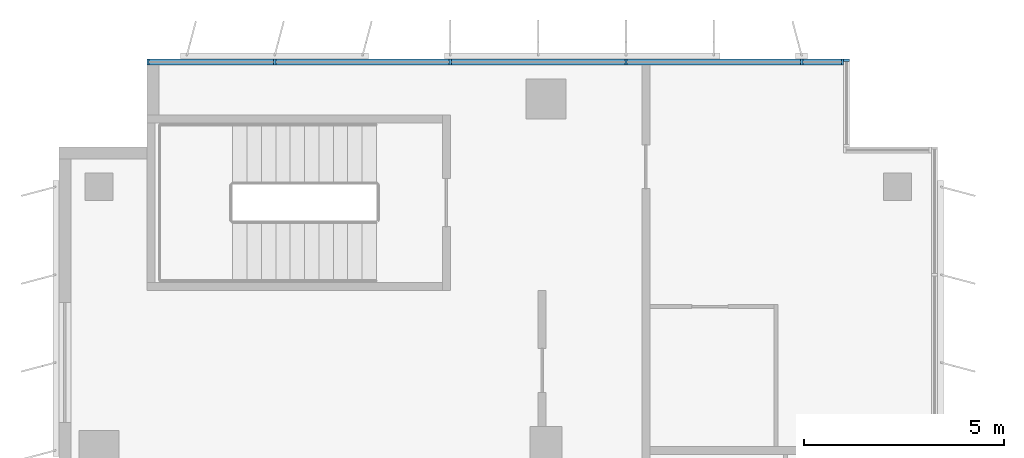
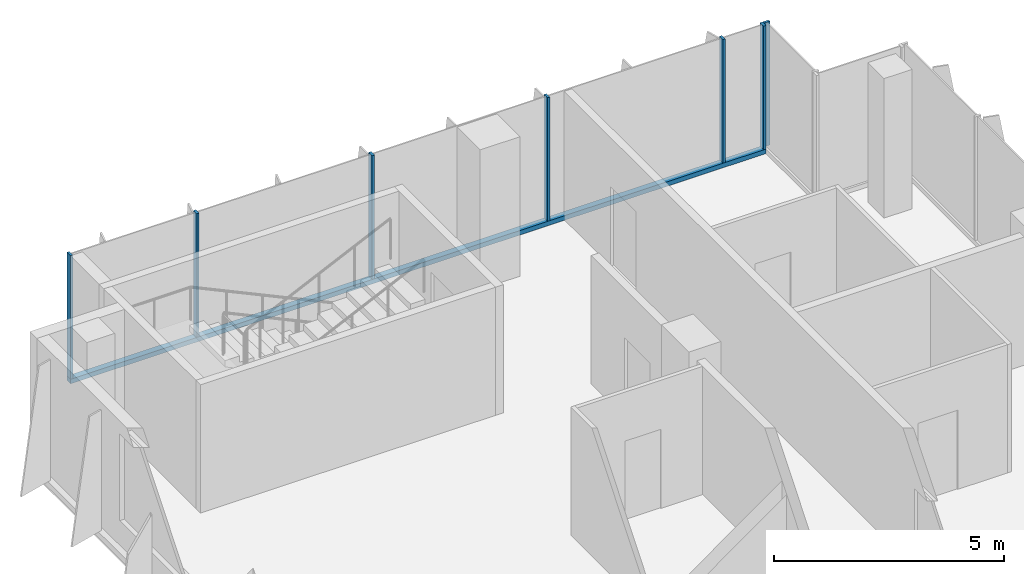
# One storey, part 9 of 21: 8 members, 2 elements without a shape of their own.
"""IFC4 building model written with IfcOpenShell, lengths in metres."""

from ifc_helpers import new_model, si_unit, direction, frame, origin, origin_2d, place, context, subcontext, project, spatial, rectangle, extrude, source, transform, mapped, material, material_profile, profile_set, type_object, element, aggregate, save


model = new_model("IFC4")

# Units and contexts
model_context = context("Model", 3, precision=1e-05, world=origin(), true_north=direction((0.0, 1.0)))
body_context = subcontext(model_context, "Body", "Model", "MODEL_VIEW")
ifc_project = project(units=[si_unit("LENGTHUNIT", "METRE"), si_unit("AREAUNIT", "SQUARE_METRE"), si_unit("VOLUMEUNIT", "CUBIC_METRE"), si_unit("PLANEANGLEUNIT", "RADIAN"), si_unit("MASSUNIT", "GRAM", prefix="KILO")], contexts=[model_context])

# Site, building, storey
site_placement = place(None, origin())
site = spatial("IfcSite", under=ifc_project, at=site_placement, CompositionType="ELEMENT")
building_placement = place(site_placement, origin())
building = spatial("IfcBuilding", under=site, at=building_placement, Name="Kemantara Hotel Tower", CompositionType="ELEMENT")
storey_placement = place(building_placement, frame((0.0, 0.0, 208.0)))
storey = spatial("IfcBuildingStorey", under=building, at=storey_placement, Name="L51", CompositionType="ELEMENT", Elevation=208.0)

# Curtain wall, members
ifc_material_1 = material(Name="Low-E tinted double insulated glass 36 mm", Category="glass")
curtain_wall_type = type_object("IfcCurtainWallType", Name="TOWER CURTAIN WALL, FRONT FACES", PredefinedType="USERDEFINED", material=ifc_material_1)
curtain_wall_1_placement = place(storey_placement, origin())
curtain_wall_1 = element("IfcCurtainWall", 1, at=curtain_wall_1_placement, inside=storey, type_object=curtain_wall_type, Name="CW4 L51 T3-R02-1", ObjectType="TOWER CURTAIN WALL, FRONT FACES", PredefinedType="USERDEFINED")
ifc_material_2 = material(Name="Aluminium 6063-T6 bronze anodised", Category="aluminium")
ifc_material_profile_1 = material_profile(ifc_material_2, rectangle(XDim=0.14990234375, YDim=0.1201171875, at=origin_2d()), Name="TOWER CURTAIN WALL, FRONT FACES TRANSOM")
ifc_profile_set_1 = profile_set([ifc_material_profile_1], Name="Aluminium 6063-T6 bronze anodised")
member_type_1 = type_object("IfcMemberType", Name="TOWER CURTAIN WALL, FRONT FACES TRANSOM", PredefinedType="USERDEFINED", material=ifc_profile_set_1)
member_1_placement = place(storey_placement, frame((19.64990234375, 63.52490234375, 0.06005859375), z_axis=(-1.0, 0.0, 0.0), x_axis=(0.0, -1.0, 0.0)))
member_1 = element("IfcMember", 2, at=member_1_placement, type_object=member_type_1, Name="CW4 sill transom T3-R02-1", ObjectType="TRANSOM", PredefinedType="USERDEFINED", context=body_context, shape_type="SweptSolid", body=[
    extrude(rectangle(XDim=0.14990234375, YDim=0.1201171875, at=origin_2d()), origin(), (0.0, 0.0, 1.0), 17.449951171875),
])
ifc_material_profile_2 = material_profile(ifc_material_2, rectangle(XDim=0.14990234375, YDim=0.06005859375, at=origin_2d()), Name="TOWER CURTAIN WALL, FRONT FACES MULLION")
ifc_profile_set_2 = profile_set([ifc_material_profile_2], Name="Aluminium 6063-T6 bronze anodised")
member_type_2 = type_object("IfcMemberType", Name="TOWER CURTAIN WALL, FRONT FACES MULLION", PredefinedType="MULLION", material=ifc_profile_set_2)
shared_shape = source(origin(), body_context, "Body", "SweptSolid", [
    extrude(rectangle(XDim=0.14990234375, YDim=0.06005859375, at=origin_2d()), origin(), (0.0, 0.0, 1.0), 3.27978515625),
])
member_2_placement = place(storey_placement, frame((19.6201171875, 63.52490234375, 0.1201171875), z_axis=(0.0, 0.0, 1.0), x_axis=(0.0, -1.0, 0.0)))
member_2 = element("IfcMember", 3, at=member_2_placement, type_object=member_type_2, Name="CW4 mullion T3-R02-1.1", PredefinedType="MULLION", context=body_context, shape_type="MappedRepresentation", body=[
    mapped(shared_shape, transform((0.0, 0.0, 0.0))),
])
member_3_placement = place(storey_placement, frame((18.60009765625, 63.52490234375, 0.1201171875), z_axis=(0.0, 0.0, 1.0), x_axis=(0.0, -1.0, 0.0)))
member_3 = element("IfcMember", 4, at=member_3_placement, type_object=member_type_2, Name="CW4 mullion T3-R02-1.2", PredefinedType="MULLION", context=body_context, shape_type="MappedRepresentation", body=[
    mapped(shared_shape, transform((0.0, 0.0, 0.0))),
])
member_4_placement = place(storey_placement, frame((14.199951171875, 63.52490234375, 0.1201171875), z_axis=(0.0, 0.0, 1.0), x_axis=(0.0, -1.0, 0.0)))
member_4 = element("IfcMember", 5, at=member_4_placement, type_object=member_type_2, Name="CW4 mullion T3-R02-1.3", PredefinedType="MULLION", context=body_context, shape_type="MappedRepresentation", body=[
    mapped(shared_shape, transform((0.0, 0.0, 0.0))),
])
member_5_placement = place(storey_placement, frame((9.800048828125, 63.52490234375, 0.1201171875), z_axis=(0.0, 0.0, 1.0), x_axis=(0.0, -1.0, 0.0)))
member_5 = element("IfcMember", 6, at=member_5_placement, type_object=member_type_2, Name="CW4 mullion T3-R02-1.4", PredefinedType="MULLION", context=body_context, shape_type="MappedRepresentation", body=[
    mapped(shared_shape, transform((0.0, 0.0, 0.0))),
])
member_6_placement = place(storey_placement, frame((5.39990234375, 63.52490234375, 0.1201171875), z_axis=(0.0, 0.0, 1.0), x_axis=(0.0, -1.0, 0.0)))
member_6 = element("IfcMember", 7, at=member_6_placement, type_object=member_type_2, Name="CW4 mullion T3-R02-1.5", PredefinedType="MULLION", context=body_context, shape_type="MappedRepresentation", body=[
    mapped(shared_shape, transform((0.0, 0.0, 0.0))),
])
member_7_placement = place(storey_placement, frame((2.22998046875, 63.52490234375, 0.1201171875), z_axis=(0.0, 0.0, 1.0), x_axis=(0.0, -1.0, 0.0)))
member_7 = element("IfcMember", 8, at=member_7_placement, type_object=member_type_2, Name="CW4 mullion T3-R02-1.6", PredefinedType="MULLION", context=body_context, shape_type="MappedRepresentation", body=[
    mapped(shared_shape, transform((0.0, 0.0, 0.0))),
])
aggregate(curtain_wall_1, [member_1, member_2, member_3, member_4, member_5, member_6, member_7])

# Curtain wall, member
curtain_wall_2_placement = place(storey_placement, origin())
curtain_wall_2 = element("IfcCurtainWall", 9, at=curtain_wall_2_placement, inside=storey, type_object=curtain_wall_type, Name="CW4 L51 T3-R01-1", ObjectType="TOWER CURTAIN WALL, FRONT FACES", PredefinedType="USERDEFINED")
member_8_placement = place(storey_placement, frame((19.72509765625, 63.570068359375, 0.1201171875), z_axis=(0.0, 0.0, 1.0), x_axis=(-1.0, 0.0, 0.0)))
member_8 = element("IfcMember", 10, at=member_8_placement, type_object=member_type_2, Name="CW4 mullion T3-R01-1.2", PredefinedType="MULLION", context=body_context, shape_type="MappedRepresentation", body=[
    mapped(shared_shape, transform((0.0, 0.0, 0.0))),
])
aggregate(curtain_wall_2, [member_8])

save(model, "model.ifc")
